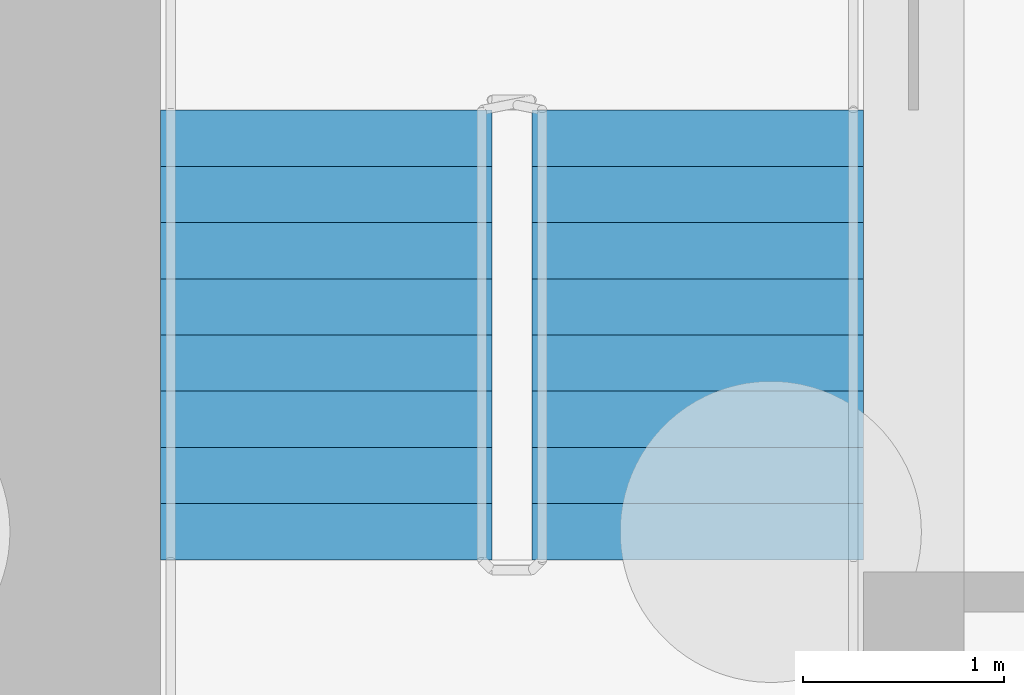
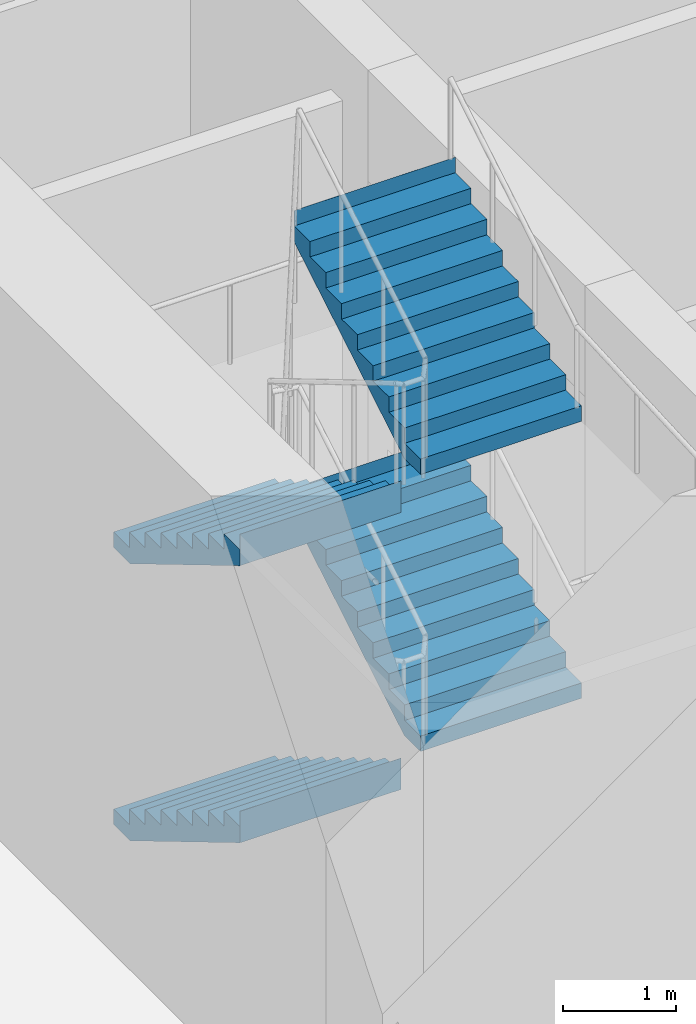
# One storey, part 20 of 39: 4 stair flights, 1 element without a shape of its own.
"""IFC4 building model written with IfcOpenShell, lengths in metres."""

from ifc_helpers import new_model, si_unit, direction, frame, origin, place, context, subcontext, project, spatial, polyline, outline, extrude, material, type_object, element, aggregate, save


model = new_model("IFC4")

# Units and contexts
model_context = context("Model", 3, precision=1e-05, world=origin(), true_north=direction((0.0, 1.0)))
body_context = subcontext(model_context, "Body", "Model", "MODEL_VIEW")
ifc_project = project(units=[si_unit("LENGTHUNIT", "METRE"), si_unit("AREAUNIT", "SQUARE_METRE"), si_unit("VOLUMEUNIT", "CUBIC_METRE"), si_unit("PLANEANGLEUNIT", "RADIAN"), si_unit("MASSUNIT", "GRAM", prefix="KILO")], contexts=[model_context])

# Site, building, storey
site_placement = place(None, origin())
site = spatial("IfcSite", under=ifc_project, at=site_placement, CompositionType="ELEMENT")
building_placement = place(site_placement, origin())
building = spatial("IfcBuilding", under=site, at=building_placement, Name="Tamorin Gate", CompositionType="ELEMENT")
storey_placement = place(building_placement, frame((0.0, 0.0, -12.0)))
storey = spatial("IfcBuildingStorey", under=building, at=storey_placement, Name="B2", CompositionType="ELEMENT", Elevation=-12.0)

# Stair, stair flights
ifc_material = material(Name="Concrete C40/50", Category="concrete")
stair_type = type_object("IfcStairType", Name="Exit stair", PredefinedType="HALF_TURN_STAIR", material=ifc_material)
stair_placement = place(storey_placement, origin())
stair = element("IfcStair", 1, at=stair_placement, inside=storey, type_object=stair_type, Name="B2 stair ST1", PredefinedType="HALF_TURN_STAIR")
stair_flight_type = type_object("IfcStairFlightType", Name="Exit stair flight", PredefinedType="STRAIGHT", material=ifc_material)
stair_flight_1_placement = place(storey_placement, frame((31.824951171875, 66.5, 0.0), z_axis=(0.0, 0.0, 1.0), x_axis=(0.0, -1.0, 0.0)))
stair_flight_1 = element("IfcStairFlight", 2, at=stair_flight_1_placement, type_object=stair_flight_type, Name="ST1 flight 1", NumberOfRisers=9, NumberOfTreads=8, PredefinedType="STRAIGHT", RiserHeight=0.166666667, TreadLength=0.28, context=body_context, shape_type="SweptSolid", body=[
    extrude(outline(polyline([(-0.00048828125, 0.0), (-0.00048828125, 0.001708984375), (-0.00048828125, 0.00341796875), (-0.00048828125, 0.0048828125), (-0.00048828125, 0.006591796875), (-0.00048828125, 0.00830078125), (-0.00048828125, 0.010009765625), (-0.00048828125, 0.011474609375), (-0.00048828125, 0.01318359375), (-0.00048828125, 0.014892578125), (-0.00048828125, 0.0166015625), (-0.00048828125, 0.01806640625), (-0.00048828125, 0.019775390625), (-0.00048828125, 0.021484375), (-0.00048828125, 0.023193359375), (-0.00048828125, 0.024658203125), (-0.00048828125, 0.0263671875), (-0.00048828125, 0.028076171875), (-0.00048828125, 0.02978515625), (-0.00048828125, 0.03125), (-0.00048828125, 0.032958984375), (-0.00048828125, 0.03466796875), (-0.00048828125, 0.036376953125), (-0.00048828125, 0.037841796875), (-0.00048828125, 0.03955078125), (-0.00048828125, 0.041259765625), (-0.00048828125, 0.04296875), (-0.00048828125, 0.04443359375), (-0.00048828125, 0.046142578125), (-0.00048828125, 0.0478515625), (-0.00048828125, 0.049560546875), (-0.00048828125, 0.05126953125), (-0.00048828125, 0.052734375), (-0.00048828125, 0.054443359375), (-0.00048828125, 0.05615234375), (-0.00048828125, 0.057861328125), (-0.00048828125, 0.059326171875), (-0.00048828125, 0.06103515625), (-0.00048828125, 0.062744140625), (-0.00048828125, 0.064453125), (-0.00048828125, 0.06591796875), (-0.00048828125, 0.067626953125), (-0.00048828125, 0.0693359375), (-0.00048828125, 0.071044921875), (-0.00048828125, 0.072509765625), (-0.00048828125, 0.07421875), (-0.00048828125, 0.075927734375), (-0.00048828125, 0.07763671875), (-0.00048828125, 0.0791015625), (-0.00048828125, 0.080810546875), (-0.00048828125, 0.08251953125), (-0.00048828125, 0.084228515625), (-0.00048828125, 0.085693359375), (-0.00048828125, 0.08740234375), (-0.00048828125, 0.089111328125), (-0.00048828125, 0.0908203125), (-0.00048828125, 0.092529296875), (-0.00048828125, 0.093994140625), (-0.00048828125, 0.095703125), (-0.00048828125, 0.097412109375), (-0.00048828125, 0.09912109375), (-0.00048828125, 0.1005859375), (-0.00048828125, 0.102294921875), (-0.00048828125, 0.10400390625), (-0.00048828125, 0.105712890625), (-0.00048828125, 0.107177734375), (-0.00048828125, 0.10888671875), (-0.00048828125, 0.110595703125), (-0.00048828125, 0.1123046875), (-0.00048828125, 0.11376953125), (-0.00048828125, 0.115478515625), (-0.00048828125, 0.1171875), (-0.00048828125, 0.118896484375), (-0.00048828125, 0.120361328125), (-0.00048828125, 0.1220703125), (-0.00048828125, 0.123779296875), (-0.00048828125, 0.12548828125), (-0.00048828125, 0.126953125), (-0.00048828125, 0.128662109375), (-0.00048828125, 0.13037109375), (-0.00048828125, 0.132080078125), (-0.00048828125, 0.133544921875), (-0.00048828125, 0.13525390625), (-0.00048828125, 0.136962890625), (-0.00048828125, 0.138671875), (-0.00048828125, 0.140380859375), (-0.00048828125, 0.141845703125), (-0.00048828125, 0.1435546875), (-0.00048828125, 0.145263671875), (-0.00048828125, 0.14697265625), (-0.00048828125, 0.1484375), (-0.00048828125, 0.150146484375), (-0.00048828125, 0.15185546875), (-0.00048828125, 0.153564453125), (-0.00048828125, 0.155029296875), (-0.00048828125, 0.15673828125), (-0.00048828125, 0.158447265625), (-0.00048828125, 0.16015625), (-0.00048828125, 0.16162109375), (-0.00048828125, 0.163330078125), (-0.00048828125, 0.1650390625), (-0.00048828125, 0.166748046875), (0.280029296875, 0.166748046875), (0.280029296875, 0.333251953125), (0.56005859375, 0.333251953125), (0.56005859375, 0.5), (0.840087890625, 0.5), (0.840087890625, 0.666748046875), (1.1201171875, 0.666748046875), (1.1201171875, 0.833251953125), (1.39990234375, 0.833251953125), (1.39990234375, 1.0), (1.679931640625, 1.0), (1.679931640625, 1.166748046875), (1.9599609375, 1.166748046875), (1.9599609375, 1.333251953125), (2.239990234375, 1.333251953125), (2.239990234375, 1.5), (2.240478515625, 1.5), (2.240478515625, 1.49658203125), (2.240478515625, 1.4931640625), (2.240478515625, 1.48974609375), (2.240478515625, 1.486572265625), (2.240478515625, 1.483154296875), (2.240478515625, 1.479736328125), (2.240478515625, 1.476318359375), (2.240478515625, 1.472900390625), (2.240478515625, 1.469482421875), (2.240478515625, 1.46630859375), (2.240478515625, 1.462890625), (2.240478515625, 1.45947265625), (2.240478515625, 1.4560546875), (2.240478515625, 1.45263671875), (2.240478515625, 1.44921875), (2.240478515625, 1.446044921875), (2.240478515625, 1.442626953125), (2.240478515625, 1.439208984375), (2.240478515625, 1.435791015625), (2.240478515625, 1.432373046875), (2.240478515625, 1.428955078125), (2.240478515625, 1.42578125), (2.240478515625, 1.42236328125), (2.240478515625, 1.4189453125), (2.240478515625, 1.41552734375), (2.240478515625, 1.412109375), (2.240478515625, 1.40869140625), (2.240478515625, 1.405517578125), (2.240478515625, 1.402099609375), (2.240478515625, 1.398681640625), (2.240478515625, 1.395263671875), (2.240478515625, 1.391845703125), (2.240478515625, 1.388427734375), (2.240478515625, 1.38525390625), (2.240478515625, 1.3818359375), (2.240478515625, 1.37841796875), (2.240478515625, 1.375), (2.240478515625, 1.37158203125), (2.240478515625, 1.3681640625), (2.240478515625, 1.364990234375), (2.240478515625, 1.361572265625), (2.240478515625, 1.358154296875), (2.240478515625, 1.354736328125), (2.240478515625, 1.351318359375), (2.240478515625, 1.347900390625), (2.240478515625, 1.3447265625), (2.240478515625, 1.34130859375), (2.240478515625, 1.337890625), (2.240478515625, 1.33447265625), (2.240478515625, 1.3310546875), (2.240478515625, 1.32763671875), (2.240478515625, 1.324462890625), (2.240478515625, 1.321044921875), (2.240478515625, 1.317626953125), (2.240478515625, 1.314208984375), (2.240478515625, 1.310791015625), (2.240478515625, 1.307373046875), (2.240478515625, 1.30419921875), (2.240478515625, 1.30078125), (2.240478515625, 1.29736328125), (2.240478515625, 1.2939453125), (2.240478515625, 1.29052734375), (2.240478515625, 1.287109375), (2.240478515625, 1.283935546875), (2.240478515625, 1.280517578125), (2.240478515625, 1.277099609375), (2.240478515625, 1.273681640625), (2.240478515625, 1.270263671875), (2.240478515625, 1.266845703125), (2.240478515625, 1.263671875), (2.240478515625, 1.26025390625), (2.240478515625, 1.2568359375), (2.240478515625, 1.25341796875), (2.240478515625, 1.25), (2.240478515625, 1.24658203125), (2.240478515625, 1.243408203125), (2.240478515625, 1.239990234375), (2.240478515625, 1.236572265625), (2.240478515625, 1.233154296875), (2.240478515625, 1.229736328125), (2.240478515625, 1.226318359375), (2.240478515625, 1.22314453125), (2.240478515625, 1.2197265625), (2.240478515625, 1.21630859375), (2.240478515625, 1.212890625), (2.240478515625, 1.20947265625), (2.240478515625, 1.2060546875), (2.240478515625, 1.202880859375), (2.240478515625, 1.199462890625), (2.240478515625, 1.196044921875), (2.240478515625, 1.192626953125), (2.240478515625, 1.189208984375), (2.240478515625, 1.185791015625), (2.240478515625, 1.1826171875), (2.240478515625, 1.17919921875), (2.240478515625, 1.17578125), (2.240478515625, 1.17236328125), (2.240478515625, 1.1689453125), (2.240478515625, 1.16552734375), (2.240478515625, 1.162353515625), (2.240478515625, 1.158935546875), (2.239990234375, 1.158935546875), (0.29296875, 0.0), (-0.00048828125, 0.0)])), frame((0.0, 0.824951171875, 0.0), z_axis=(0.0, -1.0, 0.0), x_axis=(1.0, 0.0, 0.0)), (0.0, 0.0, 1.0), 1.64990234375),
])
stair_flight_2_placement = place(storey_placement, frame((33.675048828125, 64.260009765625, 1.5), z_axis=(0.0, 0.0, 1.0), x_axis=(0.0, 1.0, 0.0)))
stair_flight_2 = element("IfcStairFlight", 3, at=stair_flight_2_placement, type_object=stair_flight_type, Name="ST1 flight 2", NumberOfRisers=9, NumberOfTreads=8, PredefinedType="STRAIGHT", RiserHeight=0.166666667, TreadLength=0.28, context=body_context, shape_type="SweptSolid", body=[
    extrude(outline(polyline([(-0.00048828125, 0.0), (-0.00048828125, 0.001708984375), (-0.00048828125, 0.00341796875), (-0.00048828125, 0.0048828125), (-0.00048828125, 0.006591796875), (-0.00048828125, 0.00830078125), (-0.00048828125, 0.010009765625), (-0.00048828125, 0.011474609375), (-0.00048828125, 0.01318359375), (-0.00048828125, 0.014892578125), (-0.00048828125, 0.0166015625), (-0.00048828125, 0.01806640625), (-0.00048828125, 0.019775390625), (-0.00048828125, 0.021484375), (-0.00048828125, 0.023193359375), (-0.00048828125, 0.024658203125), (-0.00048828125, 0.0263671875), (-0.00048828125, 0.028076171875), (-0.00048828125, 0.02978515625), (-0.00048828125, 0.03125), (-0.00048828125, 0.032958984375), (-0.00048828125, 0.03466796875), (-0.00048828125, 0.036376953125), (-0.00048828125, 0.037841796875), (-0.00048828125, 0.03955078125), (-0.00048828125, 0.041259765625), (-0.00048828125, 0.04296875), (-0.00048828125, 0.04443359375), (-0.00048828125, 0.046142578125), (-0.00048828125, 0.0478515625), (-0.00048828125, 0.049560546875), (-0.00048828125, 0.05126953125), (-0.00048828125, 0.052734375), (-0.00048828125, 0.054443359375), (-0.00048828125, 0.05615234375), (-0.00048828125, 0.057861328125), (-0.00048828125, 0.059326171875), (-0.00048828125, 0.06103515625), (-0.00048828125, 0.062744140625), (-0.00048828125, 0.064453125), (-0.00048828125, 0.06591796875), (-0.00048828125, 0.067626953125), (-0.00048828125, 0.0693359375), (-0.00048828125, 0.071044921875), (-0.00048828125, 0.072509765625), (-0.00048828125, 0.07421875), (-0.00048828125, 0.075927734375), (-0.00048828125, 0.07763671875), (-0.00048828125, 0.0791015625), (-0.00048828125, 0.080810546875), (-0.00048828125, 0.08251953125), (-0.00048828125, 0.084228515625), (-0.00048828125, 0.085693359375), (-0.00048828125, 0.08740234375), (-0.00048828125, 0.089111328125), (-0.00048828125, 0.0908203125), (-0.00048828125, 0.092529296875), (-0.00048828125, 0.093994140625), (-0.00048828125, 0.095703125), (-0.00048828125, 0.097412109375), (-0.00048828125, 0.09912109375), (-0.00048828125, 0.1005859375), (-0.00048828125, 0.102294921875), (-0.00048828125, 0.10400390625), (-0.00048828125, 0.105712890625), (-0.00048828125, 0.107177734375), (-0.00048828125, 0.10888671875), (-0.00048828125, 0.110595703125), (-0.00048828125, 0.1123046875), (-0.00048828125, 0.11376953125), (-0.00048828125, 0.115478515625), (-0.00048828125, 0.1171875), (-0.00048828125, 0.118896484375), (-0.00048828125, 0.120361328125), (-0.00048828125, 0.1220703125), (-0.00048828125, 0.123779296875), (-0.00048828125, 0.12548828125), (-0.00048828125, 0.126953125), (-0.00048828125, 0.128662109375), (-0.00048828125, 0.13037109375), (-0.00048828125, 0.132080078125), (-0.00048828125, 0.133544921875), (-0.00048828125, 0.13525390625), (-0.00048828125, 0.136962890625), (-0.00048828125, 0.138671875), (-0.00048828125, 0.140380859375), (-0.00048828125, 0.141845703125), (-0.00048828125, 0.1435546875), (-0.00048828125, 0.145263671875), (-0.00048828125, 0.14697265625), (-0.00048828125, 0.1484375), (-0.00048828125, 0.150146484375), (-0.00048828125, 0.15185546875), (-0.00048828125, 0.153564453125), (-0.00048828125, 0.155029296875), (-0.00048828125, 0.15673828125), (-0.00048828125, 0.158447265625), (-0.00048828125, 0.16015625), (-0.00048828125, 0.16162109375), (-0.00048828125, 0.163330078125), (-0.00048828125, 0.1650390625), (-0.00048828125, 0.166748046875), (0.280029296875, 0.166748046875), (0.280029296875, 0.333251953125), (0.56005859375, 0.333251953125), (0.56005859375, 0.5), (0.840087890625, 0.5), (0.840087890625, 0.666748046875), (1.1201171875, 0.666748046875), (1.1201171875, 0.833251953125), (1.39990234375, 0.833251953125), (1.39990234375, 1.0), (1.679931640625, 1.0), (1.679931640625, 1.166748046875), (1.9599609375, 1.166748046875), (1.9599609375, 1.333251953125), (2.239990234375, 1.333251953125), (2.239990234375, 1.5), (2.240478515625, 1.5), (2.240478515625, 1.49658203125), (2.240478515625, 1.4931640625), (2.240478515625, 1.48974609375), (2.240478515625, 1.486572265625), (2.240478515625, 1.483154296875), (2.240478515625, 1.479736328125), (2.240478515625, 1.476318359375), (2.240478515625, 1.472900390625), (2.240478515625, 1.469482421875), (2.240478515625, 1.46630859375), (2.240478515625, 1.462890625), (2.240478515625, 1.45947265625), (2.240478515625, 1.4560546875), (2.240478515625, 1.45263671875), (2.240478515625, 1.44921875), (2.240478515625, 1.446044921875), (2.240478515625, 1.442626953125), (2.240478515625, 1.439208984375), (2.240478515625, 1.435791015625), (2.240478515625, 1.432373046875), (2.240478515625, 1.428955078125), (2.240478515625, 1.42578125), (2.240478515625, 1.42236328125), (2.240478515625, 1.4189453125), (2.240478515625, 1.41552734375), (2.240478515625, 1.412109375), (2.240478515625, 1.40869140625), (2.240478515625, 1.405517578125), (2.240478515625, 1.402099609375), (2.240478515625, 1.398681640625), (2.240478515625, 1.395263671875), (2.240478515625, 1.391845703125), (2.240478515625, 1.388427734375), (2.240478515625, 1.38525390625), (2.240478515625, 1.3818359375), (2.240478515625, 1.37841796875), (2.240478515625, 1.375), (2.240478515625, 1.37158203125), (2.240478515625, 1.3681640625), (2.240478515625, 1.364990234375), (2.240478515625, 1.361572265625), (2.240478515625, 1.358154296875), (2.240478515625, 1.354736328125), (2.240478515625, 1.351318359375), (2.240478515625, 1.347900390625), (2.240478515625, 1.3447265625), (2.240478515625, 1.34130859375), (2.240478515625, 1.337890625), (2.240478515625, 1.33447265625), (2.240478515625, 1.3310546875), (2.240478515625, 1.32763671875), (2.240478515625, 1.324462890625), (2.240478515625, 1.321044921875), (2.240478515625, 1.317626953125), (2.240478515625, 1.314208984375), (2.240478515625, 1.310791015625), (2.240478515625, 1.307373046875), (2.240478515625, 1.30419921875), (2.240478515625, 1.30078125), (2.240478515625, 1.29736328125), (2.240478515625, 1.2939453125), (2.240478515625, 1.29052734375), (2.240478515625, 1.287109375), (2.240478515625, 1.283935546875), (2.240478515625, 1.280517578125), (2.240478515625, 1.277099609375), (2.240478515625, 1.273681640625), (2.240478515625, 1.270263671875), (2.240478515625, 1.266845703125), (2.240478515625, 1.263671875), (2.240478515625, 1.26025390625), (2.240478515625, 1.2568359375), (2.240478515625, 1.25341796875), (2.240478515625, 1.25), (2.240478515625, 1.24658203125), (2.240478515625, 1.243408203125), (2.240478515625, 1.239990234375), (2.240478515625, 1.236572265625), (2.240478515625, 1.233154296875), (2.240478515625, 1.229736328125), (2.240478515625, 1.226318359375), (2.240478515625, 1.22314453125), (2.240478515625, 1.2197265625), (2.240478515625, 1.21630859375), (2.240478515625, 1.212890625), (2.240478515625, 1.20947265625), (2.240478515625, 1.2060546875), (2.240478515625, 1.202880859375), (2.240478515625, 1.199462890625), (2.240478515625, 1.196044921875), (2.240478515625, 1.192626953125), (2.240478515625, 1.189208984375), (2.240478515625, 1.185791015625), (2.240478515625, 1.1826171875), (2.240478515625, 1.17919921875), (2.240478515625, 1.17578125), (2.240478515625, 1.17236328125), (2.240478515625, 1.1689453125), (2.240478515625, 1.16552734375), (2.240478515625, 1.162353515625), (2.240478515625, 1.158935546875), (2.239990234375, 1.158935546875), (0.29296875, 0.0), (-0.00048828125, 0.0)])), frame((0.0, 0.824951171875, 0.0), z_axis=(0.0, -1.0, 0.0), x_axis=(1.0, 0.0, 0.0)), (0.0, 0.0, 1.0), 1.64990234375),
])
stair_flight_3_placement = place(storey_placement, frame((31.824951171875, 66.5, 3.0), z_axis=(0.0, 0.0, 1.0), x_axis=(0.0, -1.0, 0.0)))
stair_flight_3 = element("IfcStairFlight", 4, at=stair_flight_3_placement, type_object=stair_flight_type, Name="ST1 flight 3", NumberOfRisers=9, NumberOfTreads=8, PredefinedType="STRAIGHT", RiserHeight=0.166666667, TreadLength=0.28, context=body_context, shape_type="SweptSolid", body=[
    extrude(outline(polyline([(-0.00048828125, 0.0), (-0.00048828125, 0.001708984375), (-0.00048828125, 0.00341796875), (-0.00048828125, 0.0048828125), (-0.00048828125, 0.006591796875), (-0.00048828125, 0.00830078125), (-0.00048828125, 0.010009765625), (-0.00048828125, 0.011474609375), (-0.00048828125, 0.01318359375), (-0.00048828125, 0.014892578125), (-0.00048828125, 0.0166015625), (-0.00048828125, 0.01806640625), (-0.00048828125, 0.019775390625), (-0.00048828125, 0.021484375), (-0.00048828125, 0.023193359375), (-0.00048828125, 0.024658203125), (-0.00048828125, 0.0263671875), (-0.00048828125, 0.028076171875), (-0.00048828125, 0.02978515625), (-0.00048828125, 0.03125), (-0.00048828125, 0.032958984375), (-0.00048828125, 0.03466796875), (-0.00048828125, 0.036376953125), (-0.00048828125, 0.037841796875), (-0.00048828125, 0.03955078125), (-0.00048828125, 0.041259765625), (-0.00048828125, 0.04296875), (-0.00048828125, 0.04443359375), (-0.00048828125, 0.046142578125), (-0.00048828125, 0.0478515625), (-0.00048828125, 0.049560546875), (-0.00048828125, 0.05126953125), (-0.00048828125, 0.052734375), (-0.00048828125, 0.054443359375), (-0.00048828125, 0.05615234375), (-0.00048828125, 0.057861328125), (-0.00048828125, 0.059326171875), (-0.00048828125, 0.06103515625), (-0.00048828125, 0.062744140625), (-0.00048828125, 0.064453125), (-0.00048828125, 0.06591796875), (-0.00048828125, 0.067626953125), (-0.00048828125, 0.0693359375), (-0.00048828125, 0.071044921875), (-0.00048828125, 0.072509765625), (-0.00048828125, 0.07421875), (-0.00048828125, 0.075927734375), (-0.00048828125, 0.07763671875), (-0.00048828125, 0.0791015625), (-0.00048828125, 0.080810546875), (-0.00048828125, 0.08251953125), (-0.00048828125, 0.084228515625), (-0.00048828125, 0.085693359375), (-0.00048828125, 0.08740234375), (-0.00048828125, 0.089111328125), (-0.00048828125, 0.0908203125), (-0.00048828125, 0.092529296875), (-0.00048828125, 0.093994140625), (-0.00048828125, 0.095703125), (-0.00048828125, 0.097412109375), (-0.00048828125, 0.09912109375), (-0.00048828125, 0.1005859375), (-0.00048828125, 0.102294921875), (-0.00048828125, 0.10400390625), (-0.00048828125, 0.105712890625), (-0.00048828125, 0.107177734375), (-0.00048828125, 0.10888671875), (-0.00048828125, 0.110595703125), (-0.00048828125, 0.1123046875), (-0.00048828125, 0.11376953125), (-0.00048828125, 0.115478515625), (-0.00048828125, 0.1171875), (-0.00048828125, 0.118896484375), (-0.00048828125, 0.120361328125), (-0.00048828125, 0.1220703125), (-0.00048828125, 0.123779296875), (-0.00048828125, 0.12548828125), (-0.00048828125, 0.126953125), (-0.00048828125, 0.128662109375), (-0.00048828125, 0.13037109375), (-0.00048828125, 0.132080078125), (-0.00048828125, 0.133544921875), (-0.00048828125, 0.13525390625), (-0.00048828125, 0.136962890625), (-0.00048828125, 0.138671875), (-0.00048828125, 0.140380859375), (-0.00048828125, 0.141845703125), (-0.00048828125, 0.1435546875), (-0.00048828125, 0.145263671875), (-0.00048828125, 0.14697265625), (-0.00048828125, 0.1484375), (-0.00048828125, 0.150146484375), (-0.00048828125, 0.15185546875), (-0.00048828125, 0.153564453125), (-0.00048828125, 0.155029296875), (-0.00048828125, 0.15673828125), (-0.00048828125, 0.158447265625), (-0.00048828125, 0.16015625), (-0.00048828125, 0.16162109375), (-0.00048828125, 0.163330078125), (-0.00048828125, 0.1650390625), (-0.00048828125, 0.166748046875), (0.280029296875, 0.166748046875), (0.280029296875, 0.333251953125), (0.56005859375, 0.333251953125), (0.56005859375, 0.5), (0.840087890625, 0.5), (0.840087890625, 0.666748046875), (1.1201171875, 0.666748046875), (1.1201171875, 0.833251953125), (1.39990234375, 0.833251953125), (1.39990234375, 1.0), (1.679931640625, 1.0), (1.679931640625, 1.166748046875), (1.9599609375, 1.166748046875), (1.9599609375, 1.333251953125), (2.239990234375, 1.333251953125), (2.239990234375, 1.5), (2.240478515625, 1.5), (2.240478515625, 1.49658203125), (2.240478515625, 1.4931640625), (2.240478515625, 1.48974609375), (2.240478515625, 1.486572265625), (2.240478515625, 1.483154296875), (2.240478515625, 1.479736328125), (2.240478515625, 1.476318359375), (2.240478515625, 1.472900390625), (2.240478515625, 1.469482421875), (2.240478515625, 1.46630859375), (2.240478515625, 1.462890625), (2.240478515625, 1.45947265625), (2.240478515625, 1.4560546875), (2.240478515625, 1.45263671875), (2.240478515625, 1.44921875), (2.240478515625, 1.446044921875), (2.240478515625, 1.442626953125), (2.240478515625, 1.439208984375), (2.240478515625, 1.435791015625), (2.240478515625, 1.432373046875), (2.240478515625, 1.428955078125), (2.240478515625, 1.42578125), (2.240478515625, 1.42236328125), (2.240478515625, 1.4189453125), (2.240478515625, 1.41552734375), (2.240478515625, 1.412109375), (2.240478515625, 1.40869140625), (2.240478515625, 1.405517578125), (2.240478515625, 1.402099609375), (2.240478515625, 1.398681640625), (2.240478515625, 1.395263671875), (2.240478515625, 1.391845703125), (2.240478515625, 1.388427734375), (2.240478515625, 1.38525390625), (2.240478515625, 1.3818359375), (2.240478515625, 1.37841796875), (2.240478515625, 1.375), (2.240478515625, 1.37158203125), (2.240478515625, 1.3681640625), (2.240478515625, 1.364990234375), (2.240478515625, 1.361572265625), (2.240478515625, 1.358154296875), (2.240478515625, 1.354736328125), (2.240478515625, 1.351318359375), (2.240478515625, 1.347900390625), (2.240478515625, 1.3447265625), (2.240478515625, 1.34130859375), (2.240478515625, 1.337890625), (2.240478515625, 1.33447265625), (2.240478515625, 1.3310546875), (2.240478515625, 1.32763671875), (2.240478515625, 1.324462890625), (2.240478515625, 1.321044921875), (2.240478515625, 1.317626953125), (2.240478515625, 1.314208984375), (2.240478515625, 1.310791015625), (2.240478515625, 1.307373046875), (2.240478515625, 1.30419921875), (2.240478515625, 1.30078125), (2.240478515625, 1.29736328125), (2.240478515625, 1.2939453125), (2.240478515625, 1.29052734375), (2.240478515625, 1.287109375), (2.240478515625, 1.283935546875), (2.240478515625, 1.280517578125), (2.240478515625, 1.277099609375), (2.240478515625, 1.273681640625), (2.240478515625, 1.270263671875), (2.240478515625, 1.266845703125), (2.240478515625, 1.263671875), (2.240478515625, 1.26025390625), (2.240478515625, 1.2568359375), (2.240478515625, 1.25341796875), (2.240478515625, 1.25), (2.240478515625, 1.24658203125), (2.240478515625, 1.243408203125), (2.240478515625, 1.239990234375), (2.240478515625, 1.236572265625), (2.240478515625, 1.233154296875), (2.240478515625, 1.229736328125), (2.240478515625, 1.226318359375), (2.240478515625, 1.22314453125), (2.240478515625, 1.2197265625), (2.240478515625, 1.21630859375), (2.240478515625, 1.212890625), (2.240478515625, 1.20947265625), (2.240478515625, 1.2060546875), (2.240478515625, 1.202880859375), (2.240478515625, 1.199462890625), (2.240478515625, 1.196044921875), (2.240478515625, 1.192626953125), (2.240478515625, 1.189208984375), (2.240478515625, 1.185791015625), (2.240478515625, 1.1826171875), (2.240478515625, 1.17919921875), (2.240478515625, 1.17578125), (2.240478515625, 1.17236328125), (2.240478515625, 1.1689453125), (2.240478515625, 1.16552734375), (2.240478515625, 1.162353515625), (2.240478515625, 1.158935546875), (2.239990234375, 1.158935546875), (0.29296875, 0.0), (-0.00048828125, 0.0)])), frame((0.0, 0.824951171875, 0.0), z_axis=(0.0, -1.0, 0.0), x_axis=(1.0, 0.0, 0.0)), (0.0, 0.0, 1.0), 1.64990234375),
])
stair_flight_4_placement = place(storey_placement, frame((33.675048828125, 64.260009765625, 4.5), z_axis=(0.0, 0.0, 1.0), x_axis=(0.0, 1.0, 0.0)))
stair_flight_4 = element("IfcStairFlight", 5, at=stair_flight_4_placement, type_object=stair_flight_type, Name="ST1 flight 4", NumberOfRisers=9, NumberOfTreads=8, PredefinedType="STRAIGHT", RiserHeight=0.166666667, TreadLength=0.28, context=body_context, shape_type="SweptSolid", body=[
    extrude(outline(polyline([(-0.00048828125, 0.0), (-0.00048828125, 0.001708984375), (-0.00048828125, 0.00341796875), (-0.00048828125, 0.0048828125), (-0.00048828125, 0.006591796875), (-0.00048828125, 0.00830078125), (-0.00048828125, 0.010009765625), (-0.00048828125, 0.011474609375), (-0.00048828125, 0.01318359375), (-0.00048828125, 0.014892578125), (-0.00048828125, 0.0166015625), (-0.00048828125, 0.01806640625), (-0.00048828125, 0.019775390625), (-0.00048828125, 0.021484375), (-0.00048828125, 0.023193359375), (-0.00048828125, 0.024658203125), (-0.00048828125, 0.0263671875), (-0.00048828125, 0.028076171875), (-0.00048828125, 0.02978515625), (-0.00048828125, 0.03125), (-0.00048828125, 0.032958984375), (-0.00048828125, 0.03466796875), (-0.00048828125, 0.036376953125), (-0.00048828125, 0.037841796875), (-0.00048828125, 0.03955078125), (-0.00048828125, 0.041259765625), (-0.00048828125, 0.04296875), (-0.00048828125, 0.04443359375), (-0.00048828125, 0.046142578125), (-0.00048828125, 0.0478515625), (-0.00048828125, 0.049560546875), (-0.00048828125, 0.05126953125), (-0.00048828125, 0.052734375), (-0.00048828125, 0.054443359375), (-0.00048828125, 0.05615234375), (-0.00048828125, 0.057861328125), (-0.00048828125, 0.059326171875), (-0.00048828125, 0.06103515625), (-0.00048828125, 0.062744140625), (-0.00048828125, 0.064453125), (-0.00048828125, 0.06591796875), (-0.00048828125, 0.067626953125), (-0.00048828125, 0.0693359375), (-0.00048828125, 0.071044921875), (-0.00048828125, 0.072509765625), (-0.00048828125, 0.07421875), (-0.00048828125, 0.075927734375), (-0.00048828125, 0.07763671875), (-0.00048828125, 0.0791015625), (-0.00048828125, 0.080810546875), (-0.00048828125, 0.08251953125), (-0.00048828125, 0.084228515625), (-0.00048828125, 0.085693359375), (-0.00048828125, 0.08740234375), (-0.00048828125, 0.089111328125), (-0.00048828125, 0.0908203125), (-0.00048828125, 0.092529296875), (-0.00048828125, 0.093994140625), (-0.00048828125, 0.095703125), (-0.00048828125, 0.097412109375), (-0.00048828125, 0.09912109375), (-0.00048828125, 0.1005859375), (-0.00048828125, 0.102294921875), (-0.00048828125, 0.10400390625), (-0.00048828125, 0.105712890625), (-0.00048828125, 0.107177734375), (-0.00048828125, 0.10888671875), (-0.00048828125, 0.110595703125), (-0.00048828125, 0.1123046875), (-0.00048828125, 0.11376953125), (-0.00048828125, 0.115478515625), (-0.00048828125, 0.1171875), (-0.00048828125, 0.118896484375), (-0.00048828125, 0.120361328125), (-0.00048828125, 0.1220703125), (-0.00048828125, 0.123779296875), (-0.00048828125, 0.12548828125), (-0.00048828125, 0.126953125), (-0.00048828125, 0.128662109375), (-0.00048828125, 0.13037109375), (-0.00048828125, 0.132080078125), (-0.00048828125, 0.133544921875), (-0.00048828125, 0.13525390625), (-0.00048828125, 0.136962890625), (-0.00048828125, 0.138671875), (-0.00048828125, 0.140380859375), (-0.00048828125, 0.141845703125), (-0.00048828125, 0.1435546875), (-0.00048828125, 0.145263671875), (-0.00048828125, 0.14697265625), (-0.00048828125, 0.1484375), (-0.00048828125, 0.150146484375), (-0.00048828125, 0.15185546875), (-0.00048828125, 0.153564453125), (-0.00048828125, 0.155029296875), (-0.00048828125, 0.15673828125), (-0.00048828125, 0.158447265625), (-0.00048828125, 0.16015625), (-0.00048828125, 0.16162109375), (-0.00048828125, 0.163330078125), (-0.00048828125, 0.1650390625), (-0.00048828125, 0.166748046875), (0.280029296875, 0.166748046875), (0.280029296875, 0.333251953125), (0.56005859375, 0.333251953125), (0.56005859375, 0.5), (0.840087890625, 0.5), (0.840087890625, 0.666748046875), (1.1201171875, 0.666748046875), (1.1201171875, 0.833251953125), (1.39990234375, 0.833251953125), (1.39990234375, 1.0), (1.679931640625, 1.0), (1.679931640625, 1.166748046875), (1.9599609375, 1.166748046875), (1.9599609375, 1.333251953125), (2.239990234375, 1.333251953125), (2.239990234375, 1.5), (2.240478515625, 1.5), (2.240478515625, 1.49658203125), (2.240478515625, 1.4931640625), (2.240478515625, 1.48974609375), (2.240478515625, 1.486572265625), (2.240478515625, 1.483154296875), (2.240478515625, 1.479736328125), (2.240478515625, 1.476318359375), (2.240478515625, 1.472900390625), (2.240478515625, 1.469482421875), (2.240478515625, 1.46630859375), (2.240478515625, 1.462890625), (2.240478515625, 1.45947265625), (2.240478515625, 1.4560546875), (2.240478515625, 1.45263671875), (2.240478515625, 1.44921875), (2.240478515625, 1.446044921875), (2.240478515625, 1.442626953125), (2.240478515625, 1.439208984375), (2.240478515625, 1.435791015625), (2.240478515625, 1.432373046875), (2.240478515625, 1.428955078125), (2.240478515625, 1.42578125), (2.240478515625, 1.42236328125), (2.240478515625, 1.4189453125), (2.240478515625, 1.41552734375), (2.240478515625, 1.412109375), (2.240478515625, 1.40869140625), (2.240478515625, 1.405517578125), (2.240478515625, 1.402099609375), (2.240478515625, 1.398681640625), (2.240478515625, 1.395263671875), (2.240478515625, 1.391845703125), (2.240478515625, 1.388427734375), (2.240478515625, 1.38525390625), (2.240478515625, 1.3818359375), (2.240478515625, 1.37841796875), (2.240478515625, 1.375), (2.240478515625, 1.37158203125), (2.240478515625, 1.3681640625), (2.240478515625, 1.364990234375), (2.240478515625, 1.361572265625), (2.240478515625, 1.358154296875), (2.240478515625, 1.354736328125), (2.240478515625, 1.351318359375), (2.240478515625, 1.347900390625), (2.240478515625, 1.3447265625), (2.240478515625, 1.34130859375), (2.240478515625, 1.337890625), (2.240478515625, 1.33447265625), (2.240478515625, 1.3310546875), (2.240478515625, 1.32763671875), (2.240478515625, 1.324462890625), (2.240478515625, 1.321044921875), (2.240478515625, 1.317626953125), (2.240478515625, 1.314208984375), (2.240478515625, 1.310791015625), (2.240478515625, 1.307373046875), (2.240478515625, 1.30419921875), (2.240478515625, 1.30078125), (2.240478515625, 1.29736328125), (2.240478515625, 1.2939453125), (2.240478515625, 1.29052734375), (2.240478515625, 1.287109375), (2.240478515625, 1.283935546875), (2.240478515625, 1.280517578125), (2.240478515625, 1.277099609375), (2.240478515625, 1.273681640625), (2.240478515625, 1.270263671875), (2.240478515625, 1.266845703125), (2.240478515625, 1.263671875), (2.240478515625, 1.26025390625), (2.240478515625, 1.2568359375), (2.240478515625, 1.25341796875), (2.240478515625, 1.25), (2.240478515625, 1.24658203125), (2.240478515625, 1.243408203125), (2.240478515625, 1.239990234375), (2.240478515625, 1.236572265625), (2.240478515625, 1.233154296875), (2.240478515625, 1.229736328125), (2.240478515625, 1.226318359375), (2.240478515625, 1.22314453125), (2.240478515625, 1.2197265625), (2.240478515625, 1.21630859375), (2.240478515625, 1.212890625), (2.240478515625, 1.20947265625), (2.240478515625, 1.2060546875), (2.240478515625, 1.202880859375), (2.240478515625, 1.199462890625), (2.240478515625, 1.196044921875), (2.240478515625, 1.192626953125), (2.240478515625, 1.189208984375), (2.240478515625, 1.185791015625), (2.240478515625, 1.1826171875), (2.240478515625, 1.17919921875), (2.240478515625, 1.17578125), (2.240478515625, 1.17236328125), (2.240478515625, 1.1689453125), (2.240478515625, 1.16552734375), (2.240478515625, 1.162353515625), (2.240478515625, 1.158935546875), (2.239990234375, 1.158935546875), (0.29296875, 0.0), (-0.00048828125, 0.0)])), frame((0.0, 0.824951171875, 0.0), z_axis=(0.0, -1.0, 0.0), x_axis=(1.0, 0.0, 0.0)), (0.0, 0.0, 1.0), 1.64990234375),
])
aggregate(stair, [stair_flight_1, stair_flight_2, stair_flight_3, stair_flight_4])

save(model, "model.ifc")
